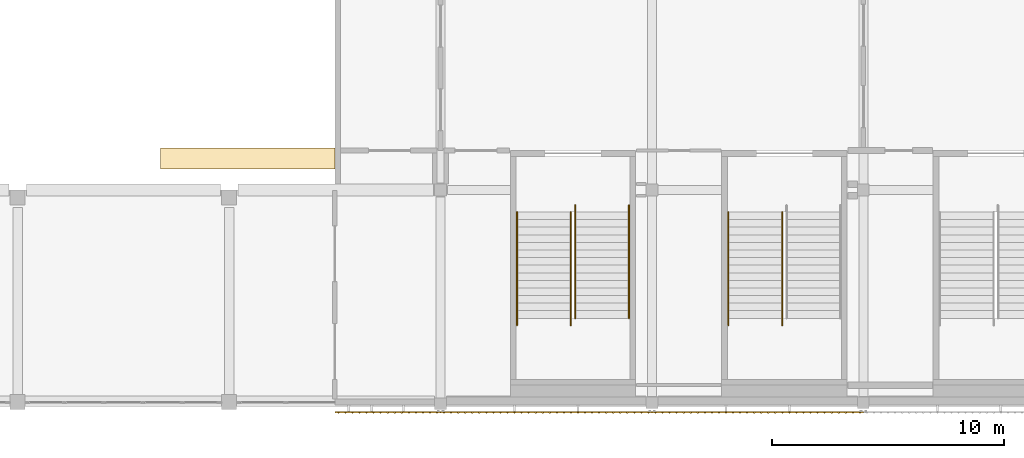
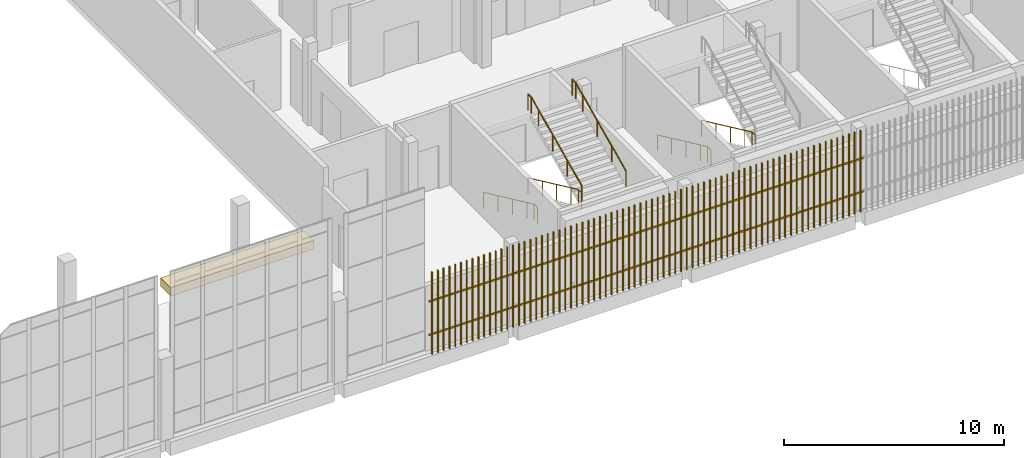
# One storey, part 77 of 91: 6 railings, 3 shading devices, 1 covering.
"""IFC4 building model written with IfcOpenShell, lengths in metres."""

from ifc_helpers import new_model, si_unit, direction, frame, origin, origin_2d, place, context, subcontext, project, spatial, polyline, rectangle, circle, outline, extrude, material, layer, layer_set, type_object, element, save


model = new_model("IFC4")

# Units and contexts
model_context = context("Model", 3, precision=1e-05, world=origin(), true_north=direction((0.0, 1.0)))
body_context = subcontext(model_context, "Body", "Model", "MODEL_VIEW")
ifc_project = project(units=[si_unit("LENGTHUNIT", "METRE"), si_unit("AREAUNIT", "SQUARE_METRE"), si_unit("VOLUMEUNIT", "CUBIC_METRE"), si_unit("PLANEANGLEUNIT", "RADIAN"), si_unit("MASSUNIT", "GRAM", prefix="KILO")], contexts=[model_context])

# Site, building, storey
site_placement = place(None, origin())
site = spatial("IfcSite", under=ifc_project, at=site_placement, CompositionType="ELEMENT")
building_placement = place(site_placement, origin())
building = spatial("IfcBuilding", under=site, at=building_placement, Name="Shirokan Park Arena", CompositionType="ELEMENT")
storey_placement = place(building_placement, frame((0.0, 0.0, 24.570068359375)))
storey = spatial("IfcBuildingStorey", under=building, at=storey_placement, Name="L05", CompositionType="ELEMENT", Elevation=24.570068359375)

# Covering
ifc_material_1 = material(Name="Concrete screed on the tier", Category="concrete")
ifc_layer = layer(ifc_material_1, 0.47998046875)
ifc_layer_set = layer_set([ifc_layer], Name="Concrete screed on the tier 480 mm")
covering_type = type_object("IfcCoveringType", Name="Platform floor infill 480", PredefinedType="FLOORING", material=ifc_layer_set)
covering_placement = place(storey_placement, frame((0.0, 0.0, -0.47998046875)))
element("IfcCovering", 1, at=covering_placement, inside=storey, type_object=covering_type, Name="Wheelchair Platform Floor S3 Upper Tier", PredefinedType="FLOORING", context=body_context, shape_type="SweptSolid", body=[
    extrude(outline(polyline([(104.64990234375, 10.0), (104.64990234375, 10.89990234375), (97.14990234375, 10.89990234375), (97.14990234375, 10.0), (104.64990234375, 10.0)])), origin(), (0.0, 0.0, 1.0), 0.47998046875),
])

# Railings
ifc_material_2 = material(Name="Stainless steel", Category="steel")
railing_type = type_object("IfcRailingType", Name="Stair handrail 900", PredefinedType="HANDRAIL", material=ifc_material_2)
railing_1_placement = place(storey_placement, frame((121.590087890625, 8.14990234375, 0.151611328125)))
element("IfcRailing", 2, at=railing_1_placement, inside=storey, type_object=railing_type, Name="Handrail Exit Stair 2.C L05 to L06", PredefinedType="HANDRAIL", context=body_context, shape_type="SweptSolid", body=[
    extrude(circle(Radius=0.02392578125, at=origin_2d()), frame((0.0, 0.0, 0.8759765625), z_axis=(0.0, -0.906999720516, 0.421131222998), x_axis=(1.0, 0.0, 0.0)), (0.0, 0.0, 1.0), 1.440673828125),
    extrude(circle(Radius=0.02392578125, at=origin_2d()), frame((0.0, -1.306640625, 1.482421875), z_axis=(0.0, -0.907029769225, 0.421066500378), x_axis=(1.0, 0.0, 0.0)), (0.0, 0.0, 1.0), 1.44091796875),
    extrude(circle(Radius=0.02392578125, at=origin_2d()), frame((0.0, -2.613525390625, 2.08935546875), z_axis=(0.0, -0.907029769225, 0.421066500378), x_axis=(1.0, 0.0, 0.0)), (0.0, 0.0, 1.0), 1.44091796875),
    extrude(circle(Radius=0.02392578125, at=origin_2d()), frame((0.0, -3.92041015625, 2.69580078125), z_axis=(0.0, -0.907064445915, 0.420991794405), x_axis=(1.0, 0.0, 0.0)), (0.0, 0.0, 1.0), 0.72021484375),
    extrude(circle(Radius=0.02392578125, at=origin_2d()), frame((0.0, -4.57373046875, 2.9990234375), z_axis=(0.0, -1.0, 0.0), x_axis=(1.0, 0.0, 0.0)), (0.0, 0.0, 1.0), 0.300048828125),
    extrude(circle(Radius=0.02099609375, at=origin_2d()), origin(), (0.0, 0.0, 1.0), 0.851806640625),
    extrude(circle(Radius=0.02099609375, at=origin_2d()), frame((0.0, -1.306640625, 0.606689453125)), (0.0, 0.0, 1.0), 0.851806640625),
    extrude(circle(Radius=0.02099609375, at=origin_2d()), frame((0.0, -2.613525390625, 1.21337890625)), (0.0, 0.0, 1.0), 0.851806640625),
    extrude(circle(Radius=0.02099609375, at=origin_2d()), frame((0.0, -3.92041015625, 1.820068359375)), (0.0, 0.0, 1.0), 0.851806640625),
    extrude(circle(Radius=0.02099609375, at=origin_2d()), frame((0.0, -4.57373046875, 2.123291015625)), (0.0, 0.0, 1.0), 0.851806640625),
    extrude(circle(Radius=0.02099609375, at=origin_2d()), frame((0.0, -4.873779296875, 2.123291015625)), (0.0, 0.0, 1.0), 0.851806640625),
])
railing_2_placement = place(storey_placement, frame((123.909912109375, 8.14990234375, 0.151611328125)))
element("IfcRailing", 3, at=railing_2_placement, inside=storey, type_object=railing_type, Name="Handrail Exit Stair 2.C L05 to L06", PredefinedType="HANDRAIL", context=body_context, shape_type="SweptSolid", body=[
    extrude(circle(Radius=0.02392578125, at=origin_2d()), frame((0.0, 0.0, 0.8759765625), z_axis=(0.0, -0.906999720516, 0.421131222998), x_axis=(1.0, 0.0, 0.0)), (0.0, 0.0, 1.0), 1.440673828125),
    extrude(circle(Radius=0.02392578125, at=origin_2d()), frame((0.0, -1.306640625, 1.482421875), z_axis=(0.0, -0.907029769225, 0.421066500378), x_axis=(1.0, 0.0, 0.0)), (0.0, 0.0, 1.0), 1.44091796875),
    extrude(circle(Radius=0.02392578125, at=origin_2d()), frame((0.0, -2.613525390625, 2.08935546875), z_axis=(0.0, -0.907029769225, 0.421066500378), x_axis=(1.0, 0.0, 0.0)), (0.0, 0.0, 1.0), 1.44091796875),
    extrude(circle(Radius=0.02392578125, at=origin_2d()), frame((0.0, -3.92041015625, 2.69580078125), z_axis=(0.0, -0.907064445915, 0.420991794405), x_axis=(1.0, 0.0, 0.0)), (0.0, 0.0, 1.0), 0.72021484375),
    extrude(circle(Radius=0.02392578125, at=origin_2d()), frame((0.0, -4.57373046875, 2.9990234375), z_axis=(0.0, -1.0, 0.0), x_axis=(1.0, 0.0, 0.0)), (0.0, 0.0, 1.0), 0.300048828125),
    extrude(circle(Radius=0.02099609375, at=origin_2d()), origin(), (0.0, 0.0, 1.0), 0.851806640625),
    extrude(circle(Radius=0.02099609375, at=origin_2d()), frame((0.0, -1.306640625, 0.606689453125)), (0.0, 0.0, 1.0), 0.851806640625),
    extrude(circle(Radius=0.02099609375, at=origin_2d()), frame((0.0, -2.613525390625, 1.21337890625)), (0.0, 0.0, 1.0), 0.851806640625),
    extrude(circle(Radius=0.02099609375, at=origin_2d()), frame((0.0, -3.92041015625, 1.820068359375)), (0.0, 0.0, 1.0), 0.851806640625),
    extrude(circle(Radius=0.02099609375, at=origin_2d()), frame((0.0, -4.57373046875, 2.123291015625)), (0.0, 0.0, 1.0), 0.851806640625),
    extrude(circle(Radius=0.02099609375, at=origin_2d()), frame((0.0, -4.873779296875, 2.123291015625)), (0.0, 0.0, 1.0), 0.851806640625),
])
railing_3_placement = place(storey_placement, frame((112.489990234375, 8.14990234375, 0.151611328125)))
element("IfcRailing", 4, at=railing_3_placement, inside=storey, type_object=railing_type, Name="Handrail Exit Stair 2.D L05 to L06", PredefinedType="HANDRAIL", context=body_context, shape_type="SweptSolid", body=[
    extrude(circle(Radius=0.02392578125, at=origin_2d()), frame((0.0, 0.0, 0.8759765625), z_axis=(0.0, -0.906999720516, 0.421131222998), x_axis=(1.0, 0.0, 0.0)), (0.0, 0.0, 1.0), 1.440673828125),
    extrude(circle(Radius=0.02392578125, at=origin_2d()), frame((0.0, -1.306640625, 1.482421875), z_axis=(0.0, -0.907029769225, 0.421066500378), x_axis=(1.0, 0.0, 0.0)), (0.0, 0.0, 1.0), 1.44091796875),
    extrude(circle(Radius=0.02392578125, at=origin_2d()), frame((0.0, -2.613525390625, 2.08935546875), z_axis=(0.0, -0.907029769225, 0.421066500378), x_axis=(1.0, 0.0, 0.0)), (0.0, 0.0, 1.0), 1.44091796875),
    extrude(circle(Radius=0.02392578125, at=origin_2d()), frame((0.0, -3.92041015625, 2.69580078125), z_axis=(0.0, -0.907064445915, 0.420991794405), x_axis=(1.0, 0.0, 0.0)), (0.0, 0.0, 1.0), 0.72021484375),
    extrude(circle(Radius=0.02392578125, at=origin_2d()), frame((0.0, -4.57373046875, 2.9990234375), z_axis=(0.0, -1.0, 0.0), x_axis=(1.0, 0.0, 0.0)), (0.0, 0.0, 1.0), 0.300048828125),
    extrude(circle(Radius=0.02099609375, at=origin_2d()), origin(), (0.0, 0.0, 1.0), 0.851806640625),
    extrude(circle(Radius=0.02099609375, at=origin_2d()), frame((0.0, -1.306640625, 0.606689453125)), (0.0, 0.0, 1.0), 0.851806640625),
    extrude(circle(Radius=0.02099609375, at=origin_2d()), frame((0.0, -2.613525390625, 1.21337890625)), (0.0, 0.0, 1.0), 0.851806640625),
    extrude(circle(Radius=0.02099609375, at=origin_2d()), frame((0.0, -3.92041015625, 1.820068359375)), (0.0, 0.0, 1.0), 0.851806640625),
    extrude(circle(Radius=0.02099609375, at=origin_2d()), frame((0.0, -4.57373046875, 2.123291015625)), (0.0, 0.0, 1.0), 0.851806640625),
    extrude(circle(Radius=0.02099609375, at=origin_2d()), frame((0.0, -4.873779296875, 2.123291015625)), (0.0, 0.0, 1.0), 0.851806640625),
])
railing_4_placement = place(storey_placement, frame((114.81005859375, 8.14990234375, 0.151611328125)))
element("IfcRailing", 5, at=railing_4_placement, inside=storey, type_object=railing_type, Name="Handrail Exit Stair 2.D L05 to L06", PredefinedType="HANDRAIL", context=body_context, shape_type="SweptSolid", body=[
    extrude(circle(Radius=0.02392578125, at=origin_2d()), frame((0.0, 0.0, 0.8759765625), z_axis=(0.0, -0.906999720516, 0.421131222998), x_axis=(1.0, 0.0, 0.0)), (0.0, 0.0, 1.0), 1.440673828125),
    extrude(circle(Radius=0.02392578125, at=origin_2d()), frame((0.0, -1.306640625, 1.482421875), z_axis=(0.0, -0.907029769225, 0.421066500378), x_axis=(1.0, 0.0, 0.0)), (0.0, 0.0, 1.0), 1.44091796875),
    extrude(circle(Radius=0.02392578125, at=origin_2d()), frame((0.0, -2.613525390625, 2.08935546875), z_axis=(0.0, -0.907029769225, 0.421066500378), x_axis=(1.0, 0.0, 0.0)), (0.0, 0.0, 1.0), 1.44091796875),
    extrude(circle(Radius=0.02392578125, at=origin_2d()), frame((0.0, -3.92041015625, 2.69580078125), z_axis=(0.0, -0.907064445915, 0.420991794405), x_axis=(1.0, 0.0, 0.0)), (0.0, 0.0, 1.0), 0.72021484375),
    extrude(circle(Radius=0.02392578125, at=origin_2d()), frame((0.0, -4.57373046875, 2.9990234375), z_axis=(0.0, -1.0, 0.0), x_axis=(1.0, 0.0, 0.0)), (0.0, 0.0, 1.0), 0.300048828125),
    extrude(circle(Radius=0.02099609375, at=origin_2d()), origin(), (0.0, 0.0, 1.0), 0.851806640625),
    extrude(circle(Radius=0.02099609375, at=origin_2d()), frame((0.0, -1.306640625, 0.606689453125)), (0.0, 0.0, 1.0), 0.851806640625),
    extrude(circle(Radius=0.02099609375, at=origin_2d()), frame((0.0, -2.613525390625, 1.21337890625)), (0.0, 0.0, 1.0), 0.851806640625),
    extrude(circle(Radius=0.02099609375, at=origin_2d()), frame((0.0, -3.92041015625, 1.820068359375)), (0.0, 0.0, 1.0), 0.851806640625),
    extrude(circle(Radius=0.02099609375, at=origin_2d()), frame((0.0, -4.57373046875, 2.123291015625)), (0.0, 0.0, 1.0), 0.851806640625),
    extrude(circle(Radius=0.02099609375, at=origin_2d()), frame((0.0, -4.873779296875, 2.123291015625)), (0.0, 0.0, 1.0), 0.851806640625),
])
railing_5_placement = place(storey_placement, frame((114.989990234375, 3.576171875, 2.426513671875)))
element("IfcRailing", 6, at=railing_5_placement, inside=storey, type_object=railing_type, Name="Handrail Exit Stair 2.D L05 to L06", PredefinedType="HANDRAIL", context=body_context, shape_type="SweptSolid", body=[
    extrude(circle(Radius=0.02392578125, at=origin_2d()), frame((0.0, 0.0, 0.8759765625), z_axis=(0.0, 0.907029769225, 0.421066500378), x_axis=(-1.0, 0.0, 0.0)), (0.0, 0.0, 1.0), 1.44091796875),
    extrude(circle(Radius=0.02392578125, at=origin_2d()), frame((0.0, 1.306884765625, 1.482421875), z_axis=(0.0, 0.906999720516, 0.421131222998), x_axis=(-1.0, 0.0, 0.0)), (0.0, 0.0, 1.0), 1.440673828125),
    extrude(circle(Radius=0.02392578125, at=origin_2d()), frame((0.0, 2.613525390625, 2.08935546875), z_axis=(0.0, 0.907029769225, 0.421066500378), x_axis=(-1.0, 0.0, 0.0)), (0.0, 0.0, 1.0), 1.44091796875),
    extrude(circle(Radius=0.02392578125, at=origin_2d()), frame((0.0, 3.92041015625, 2.69580078125), z_axis=(0.0, 0.906934982928, 0.421270621741), x_axis=(-1.0, 0.0, 0.0)), (0.0, 0.0, 1.0), 0.720458984375),
    extrude(circle(Radius=0.02392578125, at=origin_2d()), frame((0.0, 4.57373046875, 2.99951171875), z_axis=(0.0, 1.0, 0.0), x_axis=(-1.0, 0.0, 0.0)), (0.0, 0.0, 1.0), 0.300048828125),
    extrude(circle(Radius=0.02099609375, at=origin_2d()), origin(), (0.0, 0.0, 1.0), 0.851806640625),
    extrude(circle(Radius=0.02099609375, at=origin_2d()), frame((0.0, 1.306884765625, 0.606689453125)), (0.0, 0.0, 1.0), 0.851806640625),
    extrude(circle(Radius=0.02099609375, at=origin_2d()), frame((0.0, 2.613525390625, 1.21337890625)), (0.0, 0.0, 1.0), 0.851806640625),
    extrude(circle(Radius=0.02099609375, at=origin_2d()), frame((0.0, 3.92041015625, 1.820068359375)), (0.0, 0.0, 1.0), 0.851806640625),
    extrude(circle(Radius=0.02099609375, at=origin_2d()), frame((0.0, 4.57373046875, 2.12353515625)), (0.0, 0.0, 1.0), 0.851806640625),
    extrude(circle(Radius=0.02099609375, at=origin_2d()), frame((0.0, 4.873779296875, 2.12353515625)), (0.0, 0.0, 1.0), 0.851806640625),
])
railing_6_placement = place(storey_placement, frame((117.31005859375, 3.576171875, 2.426513671875)))
element("IfcRailing", 7, at=railing_6_placement, inside=storey, type_object=railing_type, Name="Handrail Exit Stair 2.D L05 to L06", PredefinedType="HANDRAIL", context=body_context, shape_type="SweptSolid", body=[
    extrude(circle(Radius=0.02392578125, at=origin_2d()), frame((0.0, 0.0, 0.8759765625), z_axis=(0.0, 0.907029769225, 0.421066500378), x_axis=(-1.0, 0.0, 0.0)), (0.0, 0.0, 1.0), 1.44091796875),
    extrude(circle(Radius=0.02392578125, at=origin_2d()), frame((0.0, 1.306884765625, 1.482421875), z_axis=(0.0, 0.906999720516, 0.421131222998), x_axis=(-1.0, 0.0, 0.0)), (0.0, 0.0, 1.0), 1.440673828125),
    extrude(circle(Radius=0.02392578125, at=origin_2d()), frame((0.0, 2.613525390625, 2.08935546875), z_axis=(0.0, 0.907029769225, 0.421066500378), x_axis=(-1.0, 0.0, 0.0)), (0.0, 0.0, 1.0), 1.44091796875),
    extrude(circle(Radius=0.02392578125, at=origin_2d()), frame((0.0, 3.92041015625, 2.69580078125), z_axis=(0.0, 0.906934982928, 0.421270621741), x_axis=(-1.0, 0.0, 0.0)), (0.0, 0.0, 1.0), 0.720458984375),
    extrude(circle(Radius=0.02392578125, at=origin_2d()), frame((0.0, 4.57373046875, 2.99951171875), z_axis=(0.0, 1.0, 0.0), x_axis=(-1.0, 0.0, 0.0)), (0.0, 0.0, 1.0), 0.300048828125),
    extrude(circle(Radius=0.02099609375, at=origin_2d()), origin(), (0.0, 0.0, 1.0), 0.851806640625),
    extrude(circle(Radius=0.02099609375, at=origin_2d()), frame((0.0, 1.306884765625, 0.606689453125)), (0.0, 0.0, 1.0), 0.851806640625),
    extrude(circle(Radius=0.02099609375, at=origin_2d()), frame((0.0, 2.613525390625, 1.21337890625)), (0.0, 0.0, 1.0), 0.851806640625),
    extrude(circle(Radius=0.02099609375, at=origin_2d()), frame((0.0, 3.92041015625, 1.820068359375)), (0.0, 0.0, 1.0), 0.851806640625),
    extrude(circle(Radius=0.02099609375, at=origin_2d()), frame((0.0, 4.57373046875, 2.12353515625)), (0.0, 0.0, 1.0), 0.851806640625),
    extrude(circle(Radius=0.02099609375, at=origin_2d()), frame((0.0, 4.873779296875, 2.12353515625)), (0.0, 0.0, 1.0), 0.851806640625),
])

# Shading devices
ifc_material_3 = material(Name="Timber louvre veil (cedar)", Category="wood")
shading_device_type = type_object("IfcShadingDeviceType", Name="Timber louvre veil panel", PredefinedType="JALOUSIE", material=ifc_material_3)
shading_device_1_placement = place(storey_placement, origin())
element("IfcShadingDevice", 8, at=shading_device_1_placement, inside=storey, type_object=shading_device_type, Name="Timber louvre veil south bay 12 L05", PredefinedType="JALOUSIE", context=body_context, shape_type="SweptSolid", body=[
    extrude(rectangle(XDim=0.050048828125, YDim=0.080078125, at=origin_2d()), frame((104.8017578125, -0.485107421875, 0.0), z_axis=(0.0, 0.0, 1.0), x_axis=(1.0, 0.0, 0.0)), (0.0, 0.0, 1.0), 4.550048828125),
    extrude(rectangle(XDim=0.050048828125, YDim=0.080078125, at=origin_2d()), frame((105.10498046875, -0.485107421875, 0.0), z_axis=(0.0, 0.0, 1.0), x_axis=(1.0, 0.0, 0.0)), (0.0, 0.0, 1.0), 4.550048828125),
    extrude(rectangle(XDim=0.050048828125, YDim=0.080078125, at=origin_2d()), frame((105.408447265625, -0.485107421875, 0.0), z_axis=(0.0, 0.0, 1.0), x_axis=(1.0, 0.0, 0.0)), (0.0, 0.0, 1.0), 4.550048828125),
    extrude(rectangle(XDim=0.050048828125, YDim=0.080078125, at=origin_2d()), frame((105.711669921875, -0.485107421875, 0.0), z_axis=(0.0, 0.0, 1.0), x_axis=(1.0, 0.0, 0.0)), (0.0, 0.0, 1.0), 4.550048828125),
    extrude(rectangle(XDim=0.050048828125, YDim=0.080078125, at=origin_2d()), frame((106.014892578125, -0.485107421875, 0.0), z_axis=(0.0, 0.0, 1.0), x_axis=(1.0, 0.0, 0.0)), (0.0, 0.0, 1.0), 4.550048828125),
    extrude(rectangle(XDim=0.050048828125, YDim=0.080078125, at=origin_2d()), frame((106.318359375, -0.485107421875, 0.0), z_axis=(0.0, 0.0, 1.0), x_axis=(1.0, 0.0, 0.0)), (0.0, 0.0, 1.0), 4.550048828125),
    extrude(rectangle(XDim=0.050048828125, YDim=0.080078125, at=origin_2d()), frame((106.62158203125, -0.485107421875, 0.0), z_axis=(0.0, 0.0, 1.0), x_axis=(1.0, 0.0, 0.0)), (0.0, 0.0, 1.0), 4.550048828125),
    extrude(rectangle(XDim=0.050048828125, YDim=0.080078125, at=origin_2d()), frame((106.925048828125, -0.485107421875, 0.0), z_axis=(0.0, 0.0, 1.0), x_axis=(1.0, 0.0, 0.0)), (0.0, 0.0, 1.0), 4.550048828125),
    extrude(rectangle(XDim=0.050048828125, YDim=0.080078125, at=origin_2d()), frame((107.228271484375, -0.485107421875, 0.0), z_axis=(0.0, 0.0, 1.0), x_axis=(1.0, 0.0, 0.0)), (0.0, 0.0, 1.0), 4.550048828125),
    extrude(rectangle(XDim=0.050048828125, YDim=0.080078125, at=origin_2d()), frame((107.53173828125, -0.485107421875, 0.0), z_axis=(0.0, 0.0, 1.0), x_axis=(1.0, 0.0, 0.0)), (0.0, 0.0, 1.0), 4.550048828125),
    extrude(rectangle(XDim=0.050048828125, YDim=0.080078125, at=origin_2d()), frame((107.8349609375, -0.485107421875, 0.0), z_axis=(0.0, 0.0, 1.0), x_axis=(1.0, 0.0, 0.0)), (0.0, 0.0, 1.0), 4.550048828125),
    extrude(rectangle(XDim=0.050048828125, YDim=0.080078125, at=origin_2d()), frame((108.138427734375, -0.485107421875, 0.0), z_axis=(0.0, 0.0, 1.0), x_axis=(1.0, 0.0, 0.0)), (0.0, 0.0, 1.0), 4.550048828125),
    extrude(rectangle(XDim=0.050048828125, YDim=0.080078125, at=origin_2d()), frame((108.441650390625, -0.485107421875, 0.0), z_axis=(0.0, 0.0, 1.0), x_axis=(1.0, 0.0, 0.0)), (0.0, 0.0, 1.0), 4.550048828125),
    extrude(rectangle(XDim=0.050048828125, YDim=0.080078125, at=origin_2d()), frame((108.7451171875, -0.485107421875, 0.0), z_axis=(0.0, 0.0, 1.0), x_axis=(1.0, 0.0, 0.0)), (0.0, 0.0, 1.0), 4.550048828125),
    extrude(rectangle(XDim=0.050048828125, YDim=0.080078125, at=origin_2d()), frame((109.04833984375, -0.485107421875, 0.0), z_axis=(0.0, 0.0, 1.0), x_axis=(1.0, 0.0, 0.0)), (0.0, 0.0, 1.0), 4.550048828125),
    extrude(rectangle(XDim=4.550048828125, YDim=0.050048828125, at=origin_2d()), frame((106.925048828125, -0.469970703125, 1.059814453125), z_axis=(0.0, 0.0, 1.0), x_axis=(1.0, 0.0, 0.0)), (0.0, 0.0, 1.0), 0.080078125),
    extrude(rectangle(XDim=4.550048828125, YDim=0.050048828125, at=origin_2d()), frame((106.925048828125, -0.469970703125, 2.909912109375), z_axis=(0.0, 0.0, 1.0), x_axis=(1.0, 0.0, 0.0)), (0.0, 0.0, 1.0), 0.080078125),
])
shading_device_2_placement = place(storey_placement, origin())
element("IfcShadingDevice", 9, at=shading_device_2_placement, inside=storey, type_object=shading_device_type, Name="Timber louvre veil south bay 13 L05", PredefinedType="JALOUSIE", context=body_context, shape_type="SweptSolid", body=[
    extrude(rectangle(XDim=0.050048828125, YDim=0.080078125, at=origin_2d()), frame((109.3515625, -0.485107421875, 0.0), z_axis=(0.0, 0.0, 1.0), x_axis=(1.0, 0.0, 0.0)), (0.0, 0.0, 1.0), 4.550048828125),
    extrude(rectangle(XDim=0.050048828125, YDim=0.080078125, at=origin_2d()), frame((109.655029296875, -0.485107421875, 0.0), z_axis=(0.0, 0.0, 1.0), x_axis=(1.0, 0.0, 0.0)), (0.0, 0.0, 1.0), 4.550048828125),
    extrude(rectangle(XDim=0.050048828125, YDim=0.080078125, at=origin_2d()), frame((109.958251953125, -0.485107421875, 0.0), z_axis=(0.0, 0.0, 1.0), x_axis=(1.0, 0.0, 0.0)), (0.0, 0.0, 1.0), 4.550048828125),
    extrude(rectangle(XDim=0.050048828125, YDim=0.080078125, at=origin_2d()), frame((110.26171875, -0.485107421875, 0.0), z_axis=(0.0, 0.0, 1.0), x_axis=(1.0, 0.0, 0.0)), (0.0, 0.0, 1.0), 4.550048828125),
    extrude(rectangle(XDim=0.050048828125, YDim=0.080078125, at=origin_2d()), frame((110.56494140625, -0.485107421875, 0.0), z_axis=(0.0, 0.0, 1.0), x_axis=(1.0, 0.0, 0.0)), (0.0, 0.0, 1.0), 4.550048828125),
    extrude(rectangle(XDim=0.050048828125, YDim=0.080078125, at=origin_2d()), frame((110.868408203125, -0.485107421875, 0.0), z_axis=(0.0, 0.0, 1.0), x_axis=(1.0, 0.0, 0.0)), (0.0, 0.0, 1.0), 4.550048828125),
    extrude(rectangle(XDim=0.050048828125, YDim=0.080078125, at=origin_2d()), frame((111.171630859375, -0.485107421875, 0.0), z_axis=(0.0, 0.0, 1.0), x_axis=(1.0, 0.0, 0.0)), (0.0, 0.0, 1.0), 4.550048828125),
    extrude(rectangle(XDim=0.050048828125, YDim=0.080078125, at=origin_2d()), frame((111.47509765625, -0.485107421875, 0.0), z_axis=(0.0, 0.0, 1.0), x_axis=(1.0, 0.0, 0.0)), (0.0, 0.0, 1.0), 4.550048828125),
    extrude(rectangle(XDim=0.050048828125, YDim=0.080078125, at=origin_2d()), frame((111.7783203125, -0.485107421875, 0.0), z_axis=(0.0, 0.0, 1.0), x_axis=(1.0, 0.0, 0.0)), (0.0, 0.0, 1.0), 4.550048828125),
    extrude(rectangle(XDim=0.050048828125, YDim=0.080078125, at=origin_2d()), frame((112.081787109375, -0.485107421875, 0.0), z_axis=(0.0, 0.0, 1.0), x_axis=(1.0, 0.0, 0.0)), (0.0, 0.0, 1.0), 4.550048828125),
    extrude(rectangle(XDim=0.050048828125, YDim=0.080078125, at=origin_2d()), frame((112.385009765625, -0.485107421875, 0.0), z_axis=(0.0, 0.0, 1.0), x_axis=(1.0, 0.0, 0.0)), (0.0, 0.0, 1.0), 4.550048828125),
    extrude(rectangle(XDim=0.050048828125, YDim=0.080078125, at=origin_2d()), frame((112.688232421875, -0.485107421875, 0.0), z_axis=(0.0, 0.0, 1.0), x_axis=(1.0, 0.0, 0.0)), (0.0, 0.0, 1.0), 4.550048828125),
    extrude(rectangle(XDim=0.050048828125, YDim=0.080078125, at=origin_2d()), frame((112.99169921875, -0.485107421875, 0.0), z_axis=(0.0, 0.0, 1.0), x_axis=(1.0, 0.0, 0.0)), (0.0, 0.0, 1.0), 4.550048828125),
    extrude(rectangle(XDim=0.050048828125, YDim=0.080078125, at=origin_2d()), frame((113.294921875, -0.485107421875, 0.0), z_axis=(0.0, 0.0, 1.0), x_axis=(1.0, 0.0, 0.0)), (0.0, 0.0, 1.0), 4.550048828125),
    extrude(rectangle(XDim=0.050048828125, YDim=0.080078125, at=origin_2d()), frame((113.598388671875, -0.485107421875, 0.0), z_axis=(0.0, 0.0, 1.0), x_axis=(1.0, 0.0, 0.0)), (0.0, 0.0, 1.0), 4.550048828125),
    extrude(rectangle(XDim=0.050048828125, YDim=0.080078125, at=origin_2d()), frame((113.901611328125, -0.485107421875, 0.0), z_axis=(0.0, 0.0, 1.0), x_axis=(1.0, 0.0, 0.0)), (0.0, 0.0, 1.0), 4.550048828125),
    extrude(rectangle(XDim=0.050048828125, YDim=0.080078125, at=origin_2d()), frame((114.205078125, -0.485107421875, 0.0), z_axis=(0.0, 0.0, 1.0), x_axis=(1.0, 0.0, 0.0)), (0.0, 0.0, 1.0), 4.550048828125),
    extrude(rectangle(XDim=0.050048828125, YDim=0.080078125, at=origin_2d()), frame((114.50830078125, -0.485107421875, 0.0), z_axis=(0.0, 0.0, 1.0), x_axis=(1.0, 0.0, 0.0)), (0.0, 0.0, 1.0), 4.550048828125),
    extrude(rectangle(XDim=0.050048828125, YDim=0.080078125, at=origin_2d()), frame((114.811767578125, -0.485107421875, 0.0), z_axis=(0.0, 0.0, 1.0), x_axis=(1.0, 0.0, 0.0)), (0.0, 0.0, 1.0), 4.550048828125),
    extrude(rectangle(XDim=0.050048828125, YDim=0.080078125, at=origin_2d()), frame((115.114990234375, -0.485107421875, 0.0), z_axis=(0.0, 0.0, 1.0), x_axis=(1.0, 0.0, 0.0)), (0.0, 0.0, 1.0), 4.550048828125),
    extrude(rectangle(XDim=0.050048828125, YDim=0.080078125, at=origin_2d()), frame((115.418212890625, -0.485107421875, 0.0), z_axis=(0.0, 0.0, 1.0), x_axis=(1.0, 0.0, 0.0)), (0.0, 0.0, 1.0), 4.550048828125),
    extrude(rectangle(XDim=0.050048828125, YDim=0.080078125, at=origin_2d()), frame((115.7216796875, -0.485107421875, 0.0), z_axis=(0.0, 0.0, 1.0), x_axis=(1.0, 0.0, 0.0)), (0.0, 0.0, 1.0), 4.550048828125),
    extrude(rectangle(XDim=0.050048828125, YDim=0.080078125, at=origin_2d()), frame((116.02490234375, -0.485107421875, 0.0), z_axis=(0.0, 0.0, 1.0), x_axis=(1.0, 0.0, 0.0)), (0.0, 0.0, 1.0), 4.550048828125),
    extrude(rectangle(XDim=0.050048828125, YDim=0.080078125, at=origin_2d()), frame((116.328369140625, -0.485107421875, 0.0), z_axis=(0.0, 0.0, 1.0), x_axis=(1.0, 0.0, 0.0)), (0.0, 0.0, 1.0), 4.550048828125),
    extrude(rectangle(XDim=0.050048828125, YDim=0.080078125, at=origin_2d()), frame((116.631591796875, -0.485107421875, 0.0), z_axis=(0.0, 0.0, 1.0), x_axis=(1.0, 0.0, 0.0)), (0.0, 0.0, 1.0), 4.550048828125),
    extrude(rectangle(XDim=0.050048828125, YDim=0.080078125, at=origin_2d()), frame((116.93505859375, -0.485107421875, 0.0), z_axis=(0.0, 0.0, 1.0), x_axis=(1.0, 0.0, 0.0)), (0.0, 0.0, 1.0), 4.550048828125),
    extrude(rectangle(XDim=0.050048828125, YDim=0.080078125, at=origin_2d()), frame((117.23828125, -0.485107421875, 0.0), z_axis=(0.0, 0.0, 1.0), x_axis=(1.0, 0.0, 0.0)), (0.0, 0.0, 1.0), 4.550048828125),
    extrude(rectangle(XDim=0.050048828125, YDim=0.080078125, at=origin_2d()), frame((117.541748046875, -0.485107421875, 0.0), z_axis=(0.0, 0.0, 1.0), x_axis=(1.0, 0.0, 0.0)), (0.0, 0.0, 1.0), 4.550048828125),
    extrude(rectangle(XDim=0.050048828125, YDim=0.080078125, at=origin_2d()), frame((117.844970703125, -0.485107421875, 0.0), z_axis=(0.0, 0.0, 1.0), x_axis=(1.0, 0.0, 0.0)), (0.0, 0.0, 1.0), 4.550048828125),
    extrude(rectangle(XDim=0.050048828125, YDim=0.080078125, at=origin_2d()), frame((118.1484375, -0.485107421875, 0.0), z_axis=(0.0, 0.0, 1.0), x_axis=(1.0, 0.0, 0.0)), (0.0, 0.0, 1.0), 4.550048828125),
    extrude(rectangle(XDim=9.10009765625, YDim=0.050048828125, at=origin_2d()), frame((113.75, -0.469970703125, 1.059814453125), z_axis=(0.0, 0.0, 1.0), x_axis=(1.0, 0.0, 0.0)), (0.0, 0.0, 1.0), 0.080078125),
    extrude(rectangle(XDim=9.10009765625, YDim=0.050048828125, at=origin_2d()), frame((113.75, -0.469970703125, 2.909912109375), z_axis=(0.0, 0.0, 1.0), x_axis=(1.0, 0.0, 0.0)), (0.0, 0.0, 1.0), 0.080078125),
])
shading_device_3_placement = place(storey_placement, origin())
element("IfcShadingDevice", 10, at=shading_device_3_placement, inside=storey, type_object=shading_device_type, Name="Timber louvre veil south bay 14 L05", PredefinedType="JALOUSIE", context=body_context, shape_type="SweptSolid", body=[
    extrude(rectangle(XDim=0.050048828125, YDim=0.080078125, at=origin_2d()), frame((118.45166015625, -0.485107421875, 0.0), z_axis=(0.0, 0.0, 1.0), x_axis=(1.0, 0.0, 0.0)), (0.0, 0.0, 1.0), 4.550048828125),
    extrude(rectangle(XDim=0.050048828125, YDim=0.080078125, at=origin_2d()), frame((118.7548828125, -0.485107421875, 0.0), z_axis=(0.0, 0.0, 1.0), x_axis=(1.0, 0.0, 0.0)), (0.0, 0.0, 1.0), 4.550048828125),
    extrude(rectangle(XDim=0.050048828125, YDim=0.080078125, at=origin_2d()), frame((119.058349609375, -0.485107421875, 0.0), z_axis=(0.0, 0.0, 1.0), x_axis=(1.0, 0.0, 0.0)), (0.0, 0.0, 1.0), 4.550048828125),
    extrude(rectangle(XDim=0.050048828125, YDim=0.080078125, at=origin_2d()), frame((119.361572265625, -0.485107421875, 0.0), z_axis=(0.0, 0.0, 1.0), x_axis=(1.0, 0.0, 0.0)), (0.0, 0.0, 1.0), 4.550048828125),
    extrude(rectangle(XDim=0.050048828125, YDim=0.080078125, at=origin_2d()), frame((119.6650390625, -0.485107421875, 0.0), z_axis=(0.0, 0.0, 1.0), x_axis=(1.0, 0.0, 0.0)), (0.0, 0.0, 1.0), 4.550048828125),
    extrude(rectangle(XDim=0.050048828125, YDim=0.080078125, at=origin_2d()), frame((119.96826171875, -0.485107421875, 0.0), z_axis=(0.0, 0.0, 1.0), x_axis=(1.0, 0.0, 0.0)), (0.0, 0.0, 1.0), 4.550048828125),
    extrude(rectangle(XDim=0.050048828125, YDim=0.080078125, at=origin_2d()), frame((120.271728515625, -0.485107421875, 0.0), z_axis=(0.0, 0.0, 1.0), x_axis=(1.0, 0.0, 0.0)), (0.0, 0.0, 1.0), 4.550048828125),
    extrude(rectangle(XDim=0.050048828125, YDim=0.080078125, at=origin_2d()), frame((120.574951171875, -0.485107421875, 0.0), z_axis=(0.0, 0.0, 1.0), x_axis=(1.0, 0.0, 0.0)), (0.0, 0.0, 1.0), 4.550048828125),
    extrude(rectangle(XDim=0.050048828125, YDim=0.080078125, at=origin_2d()), frame((120.87841796875, -0.485107421875, 0.0), z_axis=(0.0, 0.0, 1.0), x_axis=(1.0, 0.0, 0.0)), (0.0, 0.0, 1.0), 4.550048828125),
    extrude(rectangle(XDim=0.050048828125, YDim=0.080078125, at=origin_2d()), frame((121.181640625, -0.485107421875, 0.0), z_axis=(0.0, 0.0, 1.0), x_axis=(1.0, 0.0, 0.0)), (0.0, 0.0, 1.0), 4.550048828125),
    extrude(rectangle(XDim=0.050048828125, YDim=0.080078125, at=origin_2d()), frame((121.485107421875, -0.485107421875, 0.0), z_axis=(0.0, 0.0, 1.0), x_axis=(1.0, 0.0, 0.0)), (0.0, 0.0, 1.0), 4.550048828125),
    extrude(rectangle(XDim=0.050048828125, YDim=0.080078125, at=origin_2d()), frame((121.788330078125, -0.485107421875, 0.0), z_axis=(0.0, 0.0, 1.0), x_axis=(1.0, 0.0, 0.0)), (0.0, 0.0, 1.0), 4.550048828125),
    extrude(rectangle(XDim=0.050048828125, YDim=0.080078125, at=origin_2d()), frame((122.091552734375, -0.485107421875, 0.0), z_axis=(0.0, 0.0, 1.0), x_axis=(1.0, 0.0, 0.0)), (0.0, 0.0, 1.0), 4.550048828125),
    extrude(rectangle(XDim=0.050048828125, YDim=0.080078125, at=origin_2d()), frame((122.39501953125, -0.485107421875, 0.0), z_axis=(0.0, 0.0, 1.0), x_axis=(1.0, 0.0, 0.0)), (0.0, 0.0, 1.0), 4.550048828125),
    extrude(rectangle(XDim=0.050048828125, YDim=0.080078125, at=origin_2d()), frame((122.6982421875, -0.485107421875, 0.0), z_axis=(0.0, 0.0, 1.0), x_axis=(1.0, 0.0, 0.0)), (0.0, 0.0, 1.0), 4.550048828125),
    extrude(rectangle(XDim=0.050048828125, YDim=0.080078125, at=origin_2d()), frame((123.001708984375, -0.485107421875, 0.0), z_axis=(0.0, 0.0, 1.0), x_axis=(1.0, 0.0, 0.0)), (0.0, 0.0, 1.0), 4.550048828125),
    extrude(rectangle(XDim=0.050048828125, YDim=0.080078125, at=origin_2d()), frame((123.304931640625, -0.485107421875, 0.0), z_axis=(0.0, 0.0, 1.0), x_axis=(1.0, 0.0, 0.0)), (0.0, 0.0, 1.0), 4.550048828125),
    extrude(rectangle(XDim=0.050048828125, YDim=0.080078125, at=origin_2d()), frame((123.6083984375, -0.485107421875, 0.0), z_axis=(0.0, 0.0, 1.0), x_axis=(1.0, 0.0, 0.0)), (0.0, 0.0, 1.0), 4.550048828125),
    extrude(rectangle(XDim=0.050048828125, YDim=0.080078125, at=origin_2d()), frame((123.91162109375, -0.485107421875, 0.0), z_axis=(0.0, 0.0, 1.0), x_axis=(1.0, 0.0, 0.0)), (0.0, 0.0, 1.0), 4.550048828125),
    extrude(rectangle(XDim=0.050048828125, YDim=0.080078125, at=origin_2d()), frame((124.215087890625, -0.485107421875, 0.0), z_axis=(0.0, 0.0, 1.0), x_axis=(1.0, 0.0, 0.0)), (0.0, 0.0, 1.0), 4.550048828125),
    extrude(rectangle(XDim=0.050048828125, YDim=0.080078125, at=origin_2d()), frame((124.518310546875, -0.485107421875, 0.0), z_axis=(0.0, 0.0, 1.0), x_axis=(1.0, 0.0, 0.0)), (0.0, 0.0, 1.0), 4.550048828125),
    extrude(rectangle(XDim=0.050048828125, YDim=0.080078125, at=origin_2d()), frame((124.82177734375, -0.485107421875, 0.0), z_axis=(0.0, 0.0, 1.0), x_axis=(1.0, 0.0, 0.0)), (0.0, 0.0, 1.0), 4.550048828125),
    extrude(rectangle(XDim=0.050048828125, YDim=0.080078125, at=origin_2d()), frame((125.125, -0.485107421875, 0.0), z_axis=(0.0, 0.0, 1.0), x_axis=(1.0, 0.0, 0.0)), (0.0, 0.0, 1.0), 4.550048828125),
    extrude(rectangle(XDim=0.050048828125, YDim=0.080078125, at=origin_2d()), frame((125.42822265625, -0.485107421875, 0.0), z_axis=(0.0, 0.0, 1.0), x_axis=(1.0, 0.0, 0.0)), (0.0, 0.0, 1.0), 4.550048828125),
    extrude(rectangle(XDim=0.050048828125, YDim=0.080078125, at=origin_2d()), frame((125.731689453125, -0.485107421875, 0.0), z_axis=(0.0, 0.0, 1.0), x_axis=(1.0, 0.0, 0.0)), (0.0, 0.0, 1.0), 4.550048828125),
    extrude(rectangle(XDim=0.050048828125, YDim=0.080078125, at=origin_2d()), frame((126.034912109375, -0.485107421875, 0.0), z_axis=(0.0, 0.0, 1.0), x_axis=(1.0, 0.0, 0.0)), (0.0, 0.0, 1.0), 4.550048828125),
    extrude(rectangle(XDim=0.050048828125, YDim=0.080078125, at=origin_2d()), frame((126.33837890625, -0.485107421875, 0.0), z_axis=(0.0, 0.0, 1.0), x_axis=(1.0, 0.0, 0.0)), (0.0, 0.0, 1.0), 4.550048828125),
    extrude(rectangle(XDim=0.050048828125, YDim=0.080078125, at=origin_2d()), frame((126.6416015625, -0.485107421875, 0.0), z_axis=(0.0, 0.0, 1.0), x_axis=(1.0, 0.0, 0.0)), (0.0, 0.0, 1.0), 4.550048828125),
    extrude(rectangle(XDim=0.050048828125, YDim=0.080078125, at=origin_2d()), frame((126.945068359375, -0.485107421875, 0.0), z_axis=(0.0, 0.0, 1.0), x_axis=(1.0, 0.0, 0.0)), (0.0, 0.0, 1.0), 4.550048828125),
    extrude(rectangle(XDim=0.050048828125, YDim=0.080078125, at=origin_2d()), frame((127.248291015625, -0.485107421875, 0.0), z_axis=(0.0, 0.0, 1.0), x_axis=(1.0, 0.0, 0.0)), (0.0, 0.0, 1.0), 4.550048828125),
    extrude(rectangle(XDim=9.10009765625, YDim=0.050048828125, at=origin_2d()), frame((122.85009765625, -0.469970703125, 1.059814453125), z_axis=(0.0, 0.0, 1.0), x_axis=(1.0, 0.0, 0.0)), (0.0, 0.0, 1.0), 0.080078125),
    extrude(rectangle(XDim=9.10009765625, YDim=0.050048828125, at=origin_2d()), frame((122.85009765625, -0.469970703125, 2.909912109375), z_axis=(0.0, 0.0, 1.0), x_axis=(1.0, 0.0, 0.0)), (0.0, 0.0, 1.0), 0.080078125),
])

save(model, "model.ifc")
